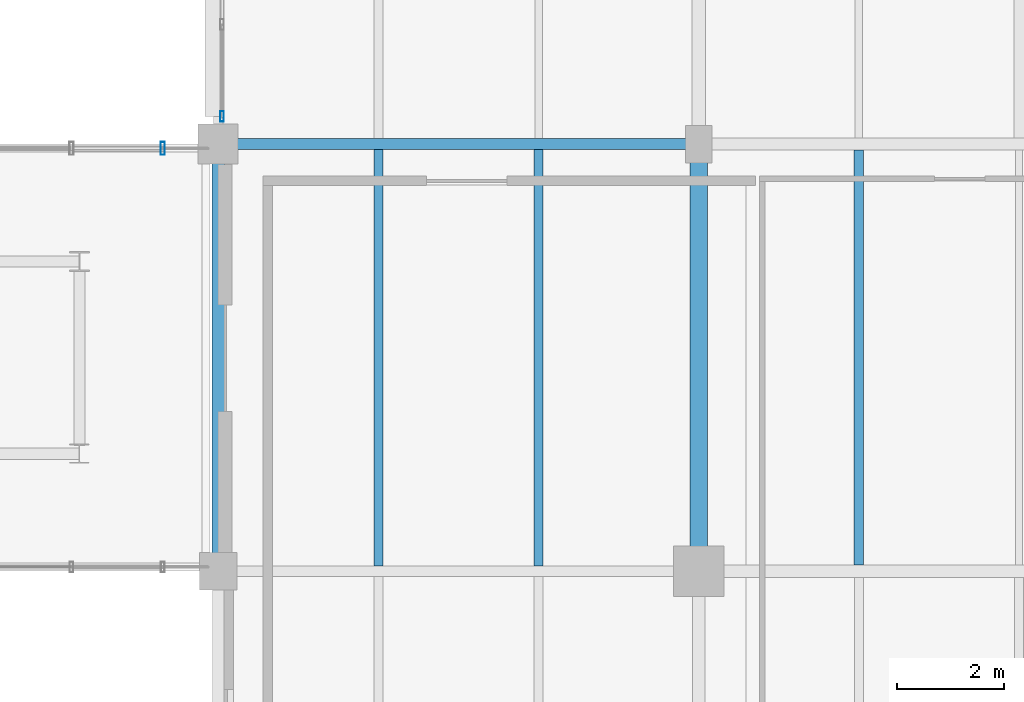
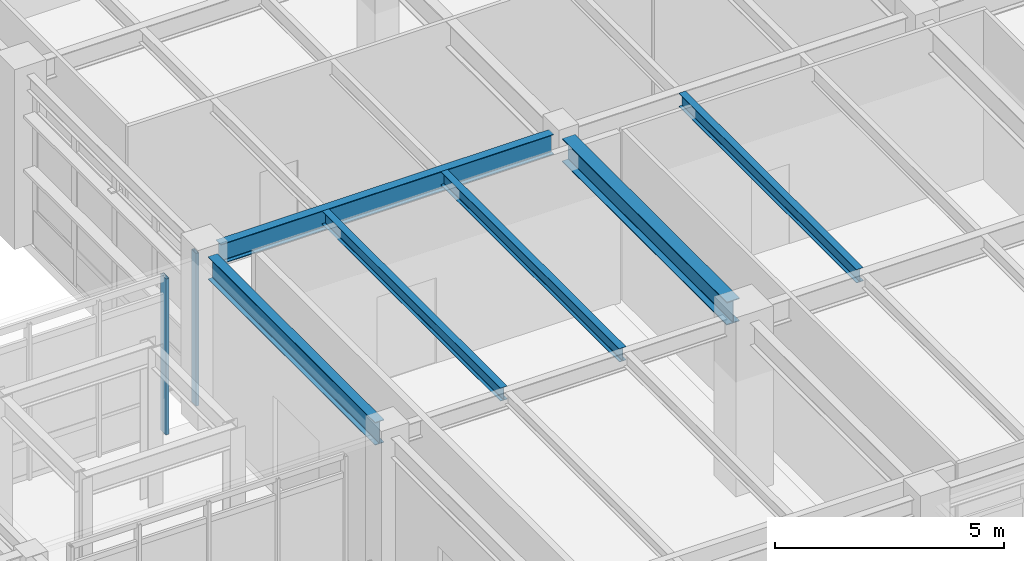
# One storey, part 98 of 200: 6 beams, 2 members, 2 elements without a shape of their own.
"""IFC4 building model written with IfcOpenShell, lengths in metres."""

from ifc_helpers import new_model, si_unit, direction, frame, origin, origin_2d, place, context, subcontext, project, spatial, hollow_rectangle, i_section, extrude, material, material_profile, profile_set, type_object, element, aggregate, save


model = new_model("IFC4")

# Units and contexts
model_context = context("Model", 3, precision=1e-05, world=origin(), true_north=direction((0.0, 1.0)))
body_context = subcontext(model_context, "Body", "Model", "MODEL_VIEW")
ifc_project = project(units=[si_unit("LENGTHUNIT", "METRE"), si_unit("AREAUNIT", "SQUARE_METRE"), si_unit("VOLUMEUNIT", "CUBIC_METRE"), si_unit("PLANEANGLEUNIT", "RADIAN"), si_unit("MASSUNIT", "GRAM", prefix="KILO"), si_unit("THERMODYNAMICTEMPERATUREUNIT", "KELVIN"), si_unit("POWERUNIT", "WATT")], contexts=[model_context])

# Site, building, storey
site_placement = place(None, origin())
site = spatial("IfcSite", under=ifc_project, at=site_placement, CompositionType="ELEMENT")
building_placement = place(site_placement, origin())
building = spatial("IfcBuilding", under=site, at=building_placement, Name="Tepalcoro Natatorium and Aquatics Centre", CompositionType="ELEMENT")
storey_placement = place(building_placement, frame((0.0, 0.0, 5.39990234375)))
storey = spatial("IfcBuildingStorey", under=building, at=storey_placement, Name="L01", CompositionType="ELEMENT", Elevation=5.39990234375)

# Beams
ifc_material_1 = material(Name="Steel ASTM A992 Grade 50 (Fy 345 MPa)", Category="steel")
ifc_material_profile_1 = material_profile(ifc_material_1, i_section(OverallWidth=0.2099609375, OverallDepth=0.532958984375, WebThickness=0.010009765625, FlangeThickness=0.01611328125, FilletRadius=0.013916015625, at=origin_2d()), Name="W21X62")
ifc_profile_set_1 = profile_set([ifc_material_profile_1], Name="Steel ASTM A992 Grade 50 (Fy 345 MPa)")
beam_type_1 = type_object("IfcBeamType", Name="BM_W21x62", PredefinedType="BEAM", material=ifc_profile_set_1)
beam_1_placement = place(storey_placement, frame((98.360107421875, 102.0, 4.278564453125), z_axis=(1.0, 0.0, 0.0), x_axis=(0.0, 1.0, 0.0)))
element("IfcBeam", 1, at=beam_1_placement, inside=storey, type_object=beam_type_1, Name="V5 L01 Grid Girder X", PredefinedType="BEAM", context=body_context, shape_type="SweptSolid", body=[
    extrude(i_section(OverallWidth=0.2099609375, OverallDepth=0.532958984375, WebThickness=0.010009765625, FlangeThickness=0.01611328125, FilletRadius=0.013916015625, at=origin_2d()), origin(), (0.0, 0.0, 1.0), 8.40478515625),
])
ifc_material_profile_2 = material_profile(ifc_material_1, i_section(OverallWidth=0.324951171875, OverallDepth=0.616943359375, WebThickness=0.013916015625, FlangeThickness=0.02197265625, FilletRadius=0.013916015625, at=origin_2d()), Name="W24X117")
ifc_profile_set_2 = profile_set([ifc_material_profile_2], Name="Steel ASTM A992 Grade 50 (Fy 345 MPa)")
beam_type_2 = type_object("IfcBeamType", Name="BM_W24x117", PredefinedType="BEAM", material=ifc_profile_set_2)
beam_2_placement = place(storey_placement, frame((107.0, 94.4599609375, 4.236572265625), z_axis=(0.0, 1.0, 0.0), x_axis=(-1.0, 0.0, 0.0)))
element("IfcBeam", 2, at=beam_2_placement, inside=storey, type_object=beam_type_2, Name="V5 L01 Grid Girder Y", PredefinedType="BEAM", context=body_context, shape_type="SweptSolid", body=[
    extrude(i_section(OverallWidth=0.324951171875, OverallDepth=0.616943359375, WebThickness=0.013916015625, FlangeThickness=0.02197265625, FilletRadius=0.013916015625, at=origin_2d()), origin(), (0.0, 0.0, 1.0), 7.205078125),
])

# Curtain wall, member
ifc_material_2 = material(Name="Bronze-Anodised Extruded Aluminium Alloy EN AW-6063 T6", Category="aluminium")
curtain_wall_type_1 = type_object("IfcCurtainWallType", Name="CW_LEAN_T1_EW", PredefinedType="USERDEFINED", material=ifc_material_2)
curtain_wall_1_placement = place(storey_placement, origin())
curtain_wall_1 = element("IfcCurtainWall", 3, at=curtain_wall_1_placement, inside=storey, type_object=curtain_wall_type_1, Name="V5 L01 W Unitised Curtain Wall Bay 3", ObjectType="FACETED SOLAR GLAZING", PredefinedType="USERDEFINED")
ifc_material_profile_3 = material_profile(ifc_material_2, hollow_rectangle(XDim=0.070068359375, YDim=0.199951171875, WallThickness=0.0048828125, at=origin_2d()), Name="AL70X200X5")
ifc_profile_set_3 = profile_set([ifc_material_profile_3], Name="Bronze-Anodised Extruded Aluminium Alloy EN AW-6063 T6")
member_type_1 = type_object("IfcMemberType", Name="CW_MUL_70x200", PredefinedType="MULLION", material=ifc_profile_set_3)
member_1_placement = place(storey_placement, frame((98.0712890625, 102.52001953125, 0.02001953125), z_axis=(0.0, 0.0, 1.0), x_axis=(1.0, 0.0, 0.0)))
member_1 = element("IfcMember", 4, at=member_1_placement, type_object=member_type_1, Name="CW_LEAN_T1_EW Curtain Wall Mullion", PredefinedType="MULLION", context=body_context, shape_type="SweptSolid", body=[
    extrude(hollow_rectangle(XDim=0.070068359375, YDim=0.199951171875, WallThickness=0.0048828125, at=origin_2d()), origin(), (0.0, 0.0, 1.0), 4.0771484375),
])
aggregate(curtain_wall_1, [member_1])

curtain_wall_type_2 = type_object("IfcCurtainWallType", Name="CW_LINK_150", PredefinedType="USERDEFINED", material=ifc_material_2)
curtain_wall_2_placement = place(storey_placement, origin())
curtain_wall_2 = element("IfcCurtainWall", 5, at=curtain_wall_2_placement, inside=storey, type_object=curtain_wall_type_2, Name="North Spine Seismic Link Glazed Wall N L01", ObjectType="UNITISED STOREFRONT", PredefinedType="USERDEFINED")
ifc_material_profile_4 = material_profile(ifc_material_2, hollow_rectangle(XDim=0.080078125, YDim=0.239990234375, WallThickness=0.0048828125, at=origin_2d()), Name="AL80X240X5")
ifc_profile_set_4 = profile_set([ifc_material_profile_4], Name="Bronze-Anodised Extruded Aluminium Alloy EN AW-6063 T6")
member_type_2 = type_object("IfcMemberType", Name="CW_MUL_80x240", PredefinedType="MULLION", material=ifc_profile_set_4)
member_2_placement = place(storey_placement, frame((96.9599609375, 101.919921875, 0.02001953125), z_axis=(0.0, 0.0, 1.0), x_axis=(1.0, 0.0, 0.0)))
member_2 = element("IfcMember", 6, at=member_2_placement, type_object=member_type_2, Name="CW_LINK_150 Curtain Wall Mullion", PredefinedType="MULLION", context=body_context, shape_type="SweptSolid", body=[
    extrude(hollow_rectangle(XDim=0.080078125, YDim=0.239990234375, WallThickness=0.0048828125, at=origin_2d()), origin(), (0.0, 0.0, 1.0), 4.16015625),
])
aggregate(curtain_wall_2, [member_2])

# Beams
ifc_material_profile_5 = material_profile(ifc_material_1, i_section(OverallWidth=0.1708984375, OverallDepth=0.35107421875, WebThickness=0.007080078125, FlangeThickness=0.010009765625, FilletRadius=0.013916015625, at=origin_2d()), Name="W14X30")
ifc_profile_set_5 = profile_set([ifc_material_profile_5], Name="Steel ASTM A992 Grade 50 (Fy 345 MPa)")
beam_type_3 = type_object("IfcBeamType", Name="JS_W14x30", PredefinedType="JOIST", material=ifc_profile_set_5)
beam_3_placement = place(storey_placement, frame((101.0, 94.096435546875, 4.36962890625), z_axis=(0.0, 1.0, 0.0), x_axis=(-1.0, 0.0, 0.0)))
element("IfcBeam", 7, at=beam_3_placement, inside=storey, type_object=beam_type_3, Name="V5 L01 Floor Joist", PredefinedType="JOIST", context=body_context, shape_type="SweptSolid", body=[
    extrude(i_section(OverallWidth=0.1708984375, OverallDepth=0.35107421875, WebThickness=0.007080078125, FlangeThickness=0.010009765625, FilletRadius=0.013916015625, at=origin_2d()), origin(), (0.0, 0.0, 1.0), 7.798583984375),
])
ifc_material_profile_6 = material_profile(ifc_material_1, i_section(OverallWidth=0.172119140625, OverallDepth=0.35791015625, WebThickness=0.008056640625, FlangeThickness=0.012939453125, FilletRadius=0.013916015625, at=origin_2d()), Name="W14X38")
ifc_profile_set_6 = profile_set([ifc_material_profile_6], Name="Steel ASTM A992 Grade 50 (Fy 345 MPa)")
beam_type_4 = type_object("IfcBeamType", Name="JS_W14x38", PredefinedType="JOIST", material=ifc_profile_set_6)
beam_4_placement = place(storey_placement, frame((104.0, 94.096435546875, 4.3662109375), z_axis=(0.0, 1.0, 0.0), x_axis=(-1.0, 0.0, 0.0)))
element("IfcBeam", 8, at=beam_4_placement, inside=storey, type_object=beam_type_4, Name="V5 L01 Floor Joist", PredefinedType="JOIST", context=body_context, shape_type="SweptSolid", body=[
    extrude(i_section(OverallWidth=0.172119140625, OverallDepth=0.35791015625, WebThickness=0.008056640625, FlangeThickness=0.012939453125, FilletRadius=0.013916015625, at=origin_2d()), origin(), (0.0, 0.0, 1.0), 7.798583984375),
])
beam_5_placement = place(storey_placement, frame((110.0, 94.114013671875, 4.3662109375), z_axis=(0.0, 1.0, 0.0), x_axis=(-1.0, 0.0, 0.0)))
element("IfcBeam", 9, at=beam_5_placement, inside=storey, type_object=beam_type_4, Name="V5 L01 Floor Joist", PredefinedType="JOIST", context=body_context, shape_type="SweptSolid", body=[
    extrude(i_section(OverallWidth=0.172119140625, OverallDepth=0.35791015625, WebThickness=0.008056640625, FlangeThickness=0.012939453125, FilletRadius=0.013916015625, at=origin_2d()), origin(), (0.0, 0.0, 1.0), 7.77099609375),
])
ifc_material_profile_7 = material_profile(ifc_material_1, i_section(OverallWidth=0.22900390625, OverallDepth=0.612060546875, WebThickness=0.011962890625, FlangeThickness=0.02001953125, FilletRadius=0.013916015625, at=origin_2d()), Name="W24X84")
ifc_profile_set_7 = profile_set([ifc_material_profile_7], Name="Steel ASTM A992 Grade 50 (Fy 345 MPa)")
beam_type_5 = type_object("IfcBeamType", Name="SP_W24x84", PredefinedType="SPANDREL", material=ifc_profile_set_7)
beam_6_placement = place(storey_placement, frame((98.0, 94.3349609375, 4.239013671875), z_axis=(0.0, 1.0, 0.0), x_axis=(-1.0, 0.0, 0.0)))
element("IfcBeam", 10, at=beam_6_placement, inside=storey, type_object=beam_type_5, Name="V5 L01 Grid Girder Y", PredefinedType="SPANDREL", context=body_context, shape_type="SweptSolid", body=[
    extrude(i_section(OverallWidth=0.22900390625, OverallDepth=0.612060546875, WebThickness=0.011962890625, FlangeThickness=0.02001953125, FilletRadius=0.013916015625, at=origin_2d()), origin(), (0.0, 0.0, 1.0), 7.304931640625),
])

save(model, "model.ifc")
